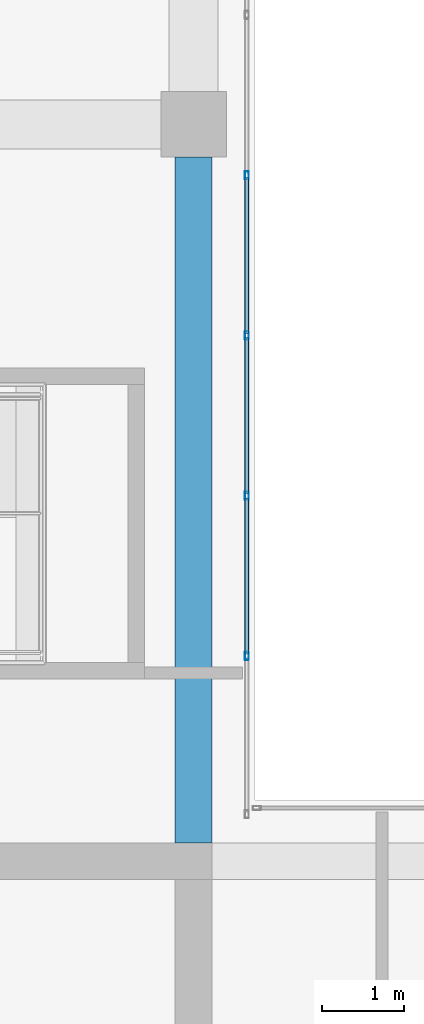
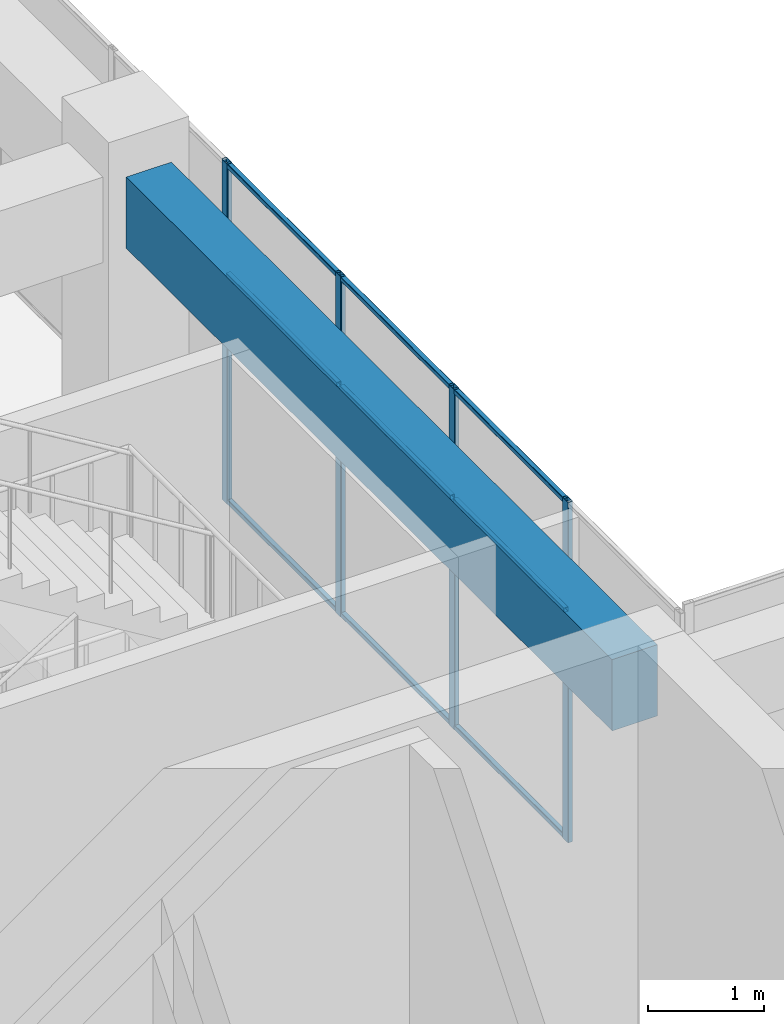
# One storey, part 36 of 52: 13 members, 1 beam, 1 element without a shape of its own.
"""IFC4 building model written with IfcOpenShell, lengths in metres."""

from ifc_helpers import new_model, si_unit, direction, frame, origin, origin_2d, place, context, subcontext, project, spatial, rectangle, hollow_rectangle, extrude, material, layer, layer_set, material_profile, profile_set, type_object, element, aggregate, save


model = new_model("IFC4")

# Units and contexts
model_context = context("Model", 3, precision=1e-05, world=origin(), true_north=direction((0.0, 1.0)))
body_context = subcontext(model_context, "Body", "Model", "MODEL_VIEW")
ifc_project = project(units=[si_unit("LENGTHUNIT", "METRE"), si_unit("AREAUNIT", "SQUARE_METRE"), si_unit("VOLUMEUNIT", "CUBIC_METRE"), si_unit("PLANEANGLEUNIT", "RADIAN"), si_unit("MASSUNIT", "GRAM", prefix="KILO")], contexts=[model_context])

# Site, building, storey
site_placement = place(None, origin())
site = spatial("IfcSite", under=ifc_project, at=site_placement, CompositionType="ELEMENT")
building_placement = place(site_placement, origin())
building = spatial("IfcBuilding", under=site, at=building_placement, Name="Tuart Plaza Theatre", CompositionType="ELEMENT")
storey_placement = place(building_placement, frame((0.0, 0.0, 25.5)))
storey = spatial("IfcBuildingStorey", under=building, at=storey_placement, Name="L06", CompositionType="ELEMENT", Elevation=25.5)

# Beam
ifc_material_1 = material(Name="Concrete N40 (40 MPa)", Category="concrete")
ifc_material_profile_1 = material_profile(ifc_material_1, rectangle(XDim=0.449951171875, YDim=0.75, at=origin_2d()), Name="BEAM 450x750 Concrete N40 (40 MPa)")
ifc_profile_set_1 = profile_set([ifc_material_profile_1], Name="Concrete N40 (40 MPa)")
beam_type = type_object("IfcBeamType", Name="BEAM 450x750 Concrete N40 (40 MPa)", PredefinedType="BEAM", material=ifc_profile_set_1)
beam_placement = place(storey_placement, frame((141.0, 83.22509765625, 3.205078125), z_axis=(0.0, 1.0, 0.0), x_axis=(-1.0, 0.0, 0.0)))
element("IfcBeam", 1, at=beam_placement, inside=storey, type_object=beam_type, Name="RB232", PredefinedType="BEAM", context=body_context, shape_type="SweptSolid", body=[
    extrude(rectangle(XDim=0.449951171875, YDim=0.75, at=origin_2d()), origin(), (0.0, 0.0, 1.0), 8.375),
])

# Curtain wall, members
ifc_material_2 = material(Name="Aluminium and glass", Category="aluminium")
ifc_layer = layer(ifc_material_2, 0.10009765625)
ifc_layer_set = layer_set([ifc_layer], Name="CURTAIN WALL 2000 module")
curtain_wall_type = type_object("IfcCurtainWallType", Name="CURTAIN WALL 2000 module", PredefinedType="NOTDEFINED", material=ifc_layer_set)
curtain_wall_placement = place(storey_placement, origin())
curtain_wall = element("IfcCurtainWall", 2, at=curtain_wall_placement, inside=storey, type_object=curtain_wall_type, Name="CW81", PredefinedType="NOTDEFINED")
ifc_material_3 = material(Name="Aluminium 6063-T5", Category="aluminium")
ifc_material_profile_2 = material_profile(ifc_material_3, hollow_rectangle(XDim=0.050048828125, YDim=0.10009765625, WallThickness=0.00390625, InnerFilletRadius=0.00390625, OuterFilletRadius=0.008056640625, at=origin_2d()), Name="RHS 100x50x4")
ifc_profile_set_2 = profile_set([ifc_material_profile_2], Name="Aluminium 6063-T5")
member_type_1 = type_object("IfcMemberType", Name="MULLION RHS 100x50x4", PredefinedType="MULLION", material=ifc_profile_set_2)
member_1_placement = place(storey_placement, frame((141.64990234375, 85.507080078125, 0.0), z_axis=(0.0, 0.0, 1.0), x_axis=(-1.0, 0.0, 0.0)))
member_1 = element("IfcMember", 3, at=member_1_placement, type_object=member_type_1, Name="CW81 mullion 2", PredefinedType="MULLION", context=body_context, shape_type="SweptSolid", body=[
    extrude(hollow_rectangle(XDim=0.050048828125, YDim=0.10009765625, WallThickness=0.00390625, InnerFilletRadius=0.00390625, OuterFilletRadius=0.008056640625, at=origin_2d()), origin(), (0.0, 0.0, 1.0), 3.580078125),
])
member_2_placement = place(storey_placement, frame((141.64990234375, 87.46435546875, 0.0), z_axis=(0.0, 0.0, 1.0), x_axis=(-1.0, 0.0, 0.0)))
member_2 = element("IfcMember", 4, at=member_2_placement, type_object=member_type_1, Name="CW81 mullion 3", PredefinedType="MULLION", context=body_context, shape_type="SweptSolid", body=[
    extrude(hollow_rectangle(XDim=0.050048828125, YDim=0.10009765625, WallThickness=0.00390625, InnerFilletRadius=0.00390625, OuterFilletRadius=0.008056640625, at=origin_2d()), origin(), (0.0, 0.0, 1.0), 3.580078125),
])
member_3_placement = place(storey_placement, frame((141.64990234375, 89.42138671875, 0.0), z_axis=(0.0, 0.0, 1.0), x_axis=(-1.0, 0.0, 0.0)))
member_3 = element("IfcMember", 5, at=member_3_placement, type_object=member_type_1, Name="CW81 mullion 4", PredefinedType="MULLION", context=body_context, shape_type="SweptSolid", body=[
    extrude(hollow_rectangle(XDim=0.050048828125, YDim=0.10009765625, WallThickness=0.00390625, InnerFilletRadius=0.00390625, OuterFilletRadius=0.008056640625, at=origin_2d()), origin(), (0.0, 0.0, 1.0), 3.580078125),
])
member_4_placement = place(storey_placement, frame((141.64990234375, 91.378662109375, 0.0), z_axis=(0.0, 0.0, 1.0), x_axis=(-1.0, 0.0, 0.0)))
member_4 = element("IfcMember", 6, at=member_4_placement, type_object=member_type_1, Name="CW81 mullion 5", PredefinedType="MULLION", context=body_context, shape_type="SweptSolid", body=[
    extrude(hollow_rectangle(XDim=0.050048828125, YDim=0.10009765625, WallThickness=0.00390625, InnerFilletRadius=0.00390625, OuterFilletRadius=0.008056640625, at=origin_2d()), origin(), (0.0, 0.0, 1.0), 3.580078125),
])
ifc_material_4 = material(Name="Aluminium 6063-T5", Category="aluminium")
ifc_material_profile_3 = material_profile(ifc_material_4, hollow_rectangle(XDim=0.050048828125, YDim=0.050048828125, WallThickness=0.00390625, InnerFilletRadius=0.00390625, OuterFilletRadius=0.008056640625, at=origin_2d()), Name="RHS 50x50x4")
ifc_profile_set_3 = profile_set([ifc_material_profile_3], Name="Aluminium 6063-T5")
member_type_2 = type_object("IfcMemberType", Name="TRANSOM RHS 50x50x4", PredefinedType="USERDEFINED", material=ifc_profile_set_3)
member_5_placement = place(storey_placement, frame((141.64990234375, 85.5322265625, 0.02490234375), z_axis=(0.0, 1.0, 0.0), x_axis=(-1.0, 0.0, 0.0)))
member_5 = element("IfcMember", 7, at=member_5_placement, type_object=member_type_2, Name="CW81 transom 2.1", ObjectType="TRANSOM", PredefinedType="USERDEFINED", context=body_context, shape_type="SweptSolid", body=[
    extrude(hollow_rectangle(XDim=0.050048828125, YDim=0.050048828125, WallThickness=0.00390625, InnerFilletRadius=0.00390625, OuterFilletRadius=0.008056640625, at=origin_2d()), origin(), (0.0, 0.0, 1.0), 1.906982421875),
])
member_6_placement = place(storey_placement, frame((141.64990234375, 85.5322265625, 2.39990234375), z_axis=(0.0, 1.0, 0.0), x_axis=(-1.0, 0.0, 0.0)))
member_6 = element("IfcMember", 8, at=member_6_placement, type_object=member_type_2, Name="CW81 transom 2.2", ObjectType="TRANSOM", PredefinedType="USERDEFINED", context=body_context, shape_type="SweptSolid", body=[
    extrude(hollow_rectangle(XDim=0.050048828125, YDim=0.050048828125, WallThickness=0.00390625, InnerFilletRadius=0.00390625, OuterFilletRadius=0.008056640625, at=origin_2d()), origin(), (0.0, 0.0, 1.0), 1.906982421875),
])
member_7_placement = place(storey_placement, frame((141.64990234375, 85.5322265625, 3.554931640625), z_axis=(0.0, 1.0, 0.0), x_axis=(-1.0, 0.0, 0.0)))
member_7 = element("IfcMember", 9, at=member_7_placement, type_object=member_type_2, Name="CW81 transom 2.3", ObjectType="TRANSOM", PredefinedType="USERDEFINED", context=body_context, shape_type="SweptSolid", body=[
    extrude(hollow_rectangle(XDim=0.050048828125, YDim=0.050048828125, WallThickness=0.00390625, InnerFilletRadius=0.00390625, OuterFilletRadius=0.008056640625, at=origin_2d()), origin(), (0.0, 0.0, 1.0), 1.906982421875),
])
member_8_placement = place(storey_placement, frame((141.64990234375, 87.4892578125, 0.02490234375), z_axis=(0.0, 1.0, 0.0), x_axis=(-1.0, 0.0, 0.0)))
member_8 = element("IfcMember", 10, at=member_8_placement, type_object=member_type_2, Name="CW81 transom 3.1", ObjectType="TRANSOM", PredefinedType="USERDEFINED", context=body_context, shape_type="SweptSolid", body=[
    extrude(hollow_rectangle(XDim=0.050048828125, YDim=0.050048828125, WallThickness=0.00390625, InnerFilletRadius=0.00390625, OuterFilletRadius=0.008056640625, at=origin_2d()), origin(), (0.0, 0.0, 1.0), 1.9072265625),
])
member_9_placement = place(storey_placement, frame((141.64990234375, 87.4892578125, 2.39990234375), z_axis=(0.0, 1.0, 0.0), x_axis=(-1.0, 0.0, 0.0)))
member_9 = element("IfcMember", 11, at=member_9_placement, type_object=member_type_2, Name="CW81 transom 3.2", ObjectType="TRANSOM", PredefinedType="USERDEFINED", context=body_context, shape_type="SweptSolid", body=[
    extrude(hollow_rectangle(XDim=0.050048828125, YDim=0.050048828125, WallThickness=0.00390625, InnerFilletRadius=0.00390625, OuterFilletRadius=0.008056640625, at=origin_2d()), origin(), (0.0, 0.0, 1.0), 1.9072265625),
])
member_10_placement = place(storey_placement, frame((141.64990234375, 87.4892578125, 3.554931640625), z_axis=(0.0, 1.0, 0.0), x_axis=(-1.0, 0.0, 0.0)))
member_10 = element("IfcMember", 12, at=member_10_placement, type_object=member_type_2, Name="CW81 transom 3.3", ObjectType="TRANSOM", PredefinedType="USERDEFINED", context=body_context, shape_type="SweptSolid", body=[
    extrude(hollow_rectangle(XDim=0.050048828125, YDim=0.050048828125, WallThickness=0.00390625, InnerFilletRadius=0.00390625, OuterFilletRadius=0.008056640625, at=origin_2d()), origin(), (0.0, 0.0, 1.0), 1.9072265625),
])
member_11_placement = place(storey_placement, frame((141.64990234375, 89.446533203125, 0.02490234375), z_axis=(0.0, 1.0, 0.0), x_axis=(-1.0, 0.0, 0.0)))
member_11 = element("IfcMember", 13, at=member_11_placement, type_object=member_type_2, Name="CW81 transom 4.1", ObjectType="TRANSOM", PredefinedType="USERDEFINED", context=body_context, shape_type="SweptSolid", body=[
    extrude(hollow_rectangle(XDim=0.050048828125, YDim=0.050048828125, WallThickness=0.00390625, InnerFilletRadius=0.00390625, OuterFilletRadius=0.008056640625, at=origin_2d()), origin(), (0.0, 0.0, 1.0), 1.906982421875),
])
member_12_placement = place(storey_placement, frame((141.64990234375, 89.446533203125, 2.39990234375), z_axis=(0.0, 1.0, 0.0), x_axis=(-1.0, 0.0, 0.0)))
member_12 = element("IfcMember", 14, at=member_12_placement, type_object=member_type_2, Name="CW81 transom 4.2", ObjectType="TRANSOM", PredefinedType="USERDEFINED", context=body_context, shape_type="SweptSolid", body=[
    extrude(hollow_rectangle(XDim=0.050048828125, YDim=0.050048828125, WallThickness=0.00390625, InnerFilletRadius=0.00390625, OuterFilletRadius=0.008056640625, at=origin_2d()), origin(), (0.0, 0.0, 1.0), 1.906982421875),
])
member_13_placement = place(storey_placement, frame((141.64990234375, 89.446533203125, 3.554931640625), z_axis=(0.0, 1.0, 0.0), x_axis=(-1.0, 0.0, 0.0)))
member_13 = element("IfcMember", 15, at=member_13_placement, type_object=member_type_2, Name="CW81 transom 4.3", ObjectType="TRANSOM", PredefinedType="USERDEFINED", context=body_context, shape_type="SweptSolid", body=[
    extrude(hollow_rectangle(XDim=0.050048828125, YDim=0.050048828125, WallThickness=0.00390625, InnerFilletRadius=0.00390625, OuterFilletRadius=0.008056640625, at=origin_2d()), origin(), (0.0, 0.0, 1.0), 1.906982421875),
])
aggregate(curtain_wall, [member_1, member_2, member_3, member_4, member_5, member_6, member_7, member_8, member_9, member_10, member_11, member_12, member_13])

save(model, "model.ifc")
